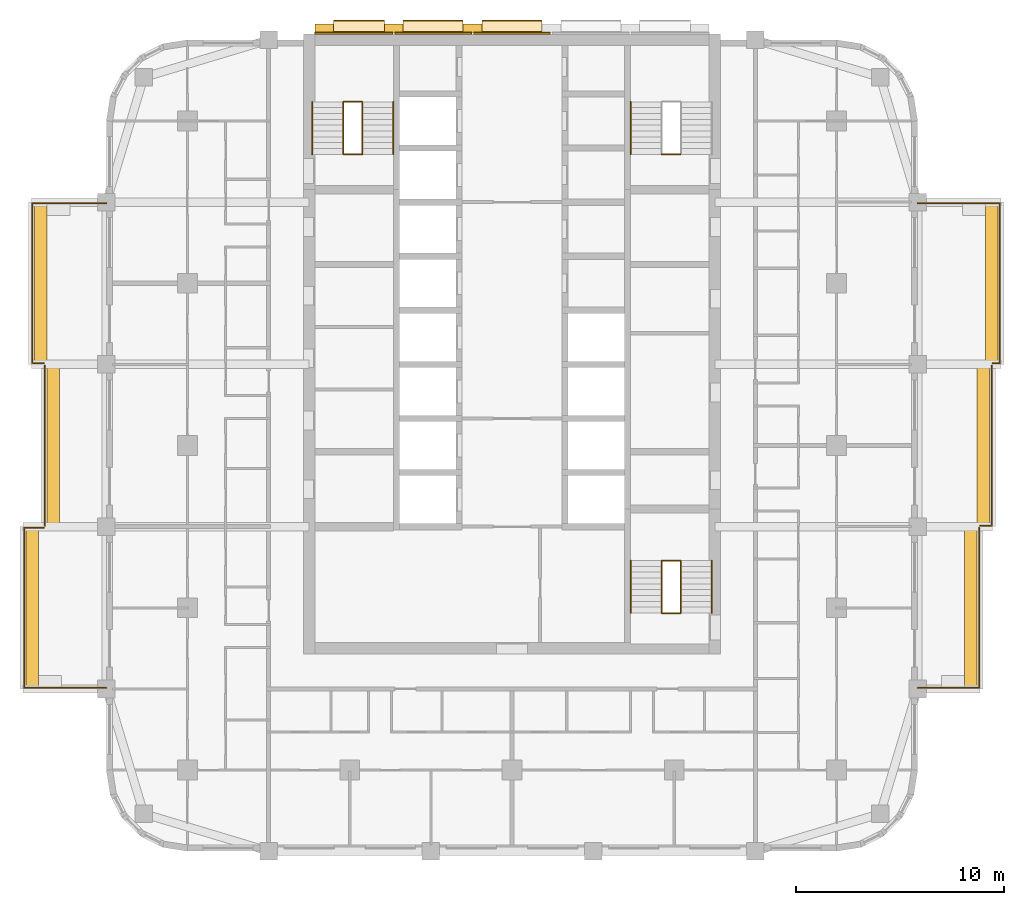
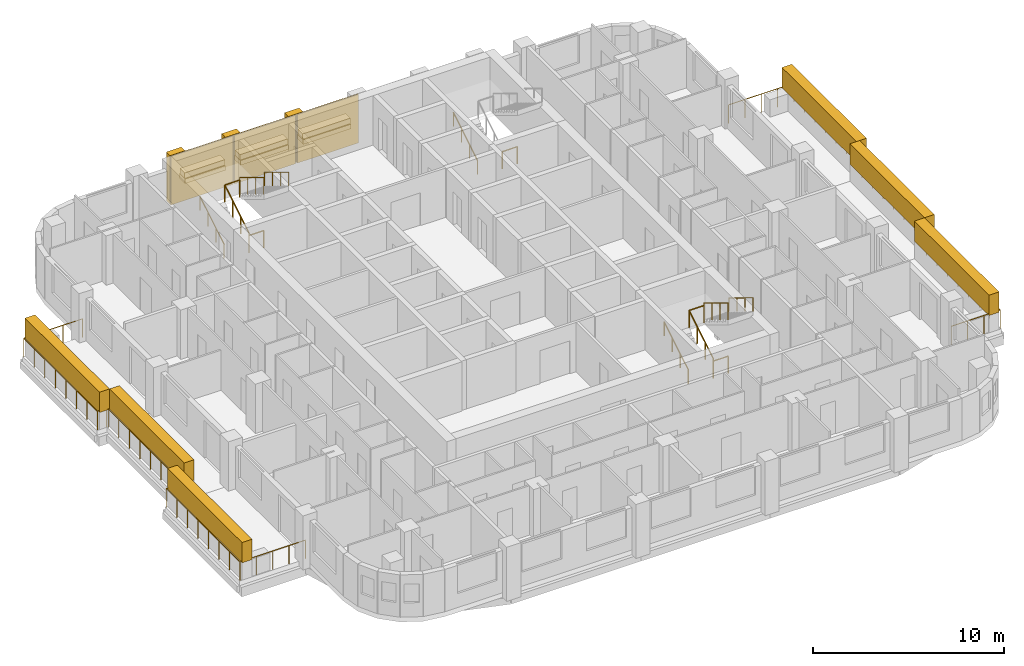
# One storey, part 12 of 13: 20 railings, 18 coverings, 3 elements without a shape of their own.
"""IFC4 building model written with IfcOpenShell, lengths in metres."""

from ifc_helpers import new_model, si_unit, direction, frame, origin, origin_2d, place, context, subcontext, project, spatial, rectangle, circle, extrude, material, layer, layer_set, type_object, element, aggregate, save


model = new_model("IFC4")

# Units and contexts
model_context = context("Model", 3, precision=1e-05, world=origin(), true_north=direction((0.0, 1.0)))
body_context = subcontext(model_context, "Body", "Model", "MODEL_VIEW")
ifc_project = project(units=[si_unit("LENGTHUNIT", "METRE"), si_unit("AREAUNIT", "SQUARE_METRE"), si_unit("VOLUMEUNIT", "CUBIC_METRE"), si_unit("PLANEANGLEUNIT", "RADIAN"), si_unit("MASSUNIT", "GRAM", prefix="KILO")], contexts=[model_context])

# Site, building, storey
site_placement = place(None, origin())
site = spatial("IfcSite", under=ifc_project, at=site_placement, CompositionType="ELEMENT")
building_placement = place(site_placement, origin())
building = spatial("IfcBuilding", under=site, at=building_placement, Name="Ludao Terraces", CompositionType="ELEMENT")
storey_placement = place(building_placement, frame((0.0, 0.0, 123.699951171875)))
storey = spatial("IfcBuildingStorey", under=building, at=storey_placement, Name="L33", CompositionType="ELEMENT", Elevation=123.699951171875)

# Railings
ifc_material_1 = material(Name="Stainless steel 304", Category="steel")
railing_type_1 = type_object("IfcRailingType", Name="ENV Balcony glass guard 1200", PredefinedType="GUARDRAIL", material=ifc_material_1)
railing_1_placement = place(storey_placement, frame((104.5, 53.35009765625, 0.0)))
element("IfcRailing", 1, at=railing_1_placement, inside=storey, type_object=railing_type_1, Name="Balcony guard L33 E1", PredefinedType="GUARDRAIL", context=body_context, shape_type="SweptSolid", body=[
    extrude(circle(Radius=0.02392578125, at=origin_2d()), frame((0.0, 0.0, 1.17578125), z_axis=(1.0, 0.0, 0.0), x_axis=(0.0, 1.0, 0.0)), (0.0, 0.0, 1.0), 2.949951171875),
    extrude(circle(Radius=0.02392578125, at=origin_2d()), frame((2.949951171875, 0.0, 1.17578125), z_axis=(0.0, 1.0, 0.0), x_axis=(-1.0, 0.0, 0.0)), (0.0, 0.0, 1.0), 7.699951171875),
    extrude(circle(Radius=0.02099609375, at=origin_2d()), origin(), (0.0, 0.0, 1.0), 1.15185546875),
    extrude(circle(Radius=0.02099609375, at=origin_2d()), frame((0.9833984375, 0.0, 0.0)), (0.0, 0.0, 1.0), 1.15185546875),
    extrude(circle(Radius=0.02099609375, at=origin_2d()), frame((1.966552734375, 0.0, 0.0)), (0.0, 0.0, 1.0), 1.15185546875),
    extrude(circle(Radius=0.02099609375, at=origin_2d()), frame((2.949951171875, 0.0, 0.0)), (0.0, 0.0, 1.0), 1.15185546875),
    extrude(circle(Radius=0.02099609375, at=origin_2d()), frame((2.949951171875, 1.10009765625, 0.0)), (0.0, 0.0, 1.0), 1.15185546875),
    extrude(circle(Radius=0.02099609375, at=origin_2d()), frame((2.949951171875, 2.199951171875, 0.0)), (0.0, 0.0, 1.0), 1.15185546875),
    extrude(circle(Radius=0.02099609375, at=origin_2d()), frame((2.949951171875, 3.300048828125, 0.0)), (0.0, 0.0, 1.0), 1.15185546875),
    extrude(circle(Radius=0.02099609375, at=origin_2d()), frame((2.949951171875, 4.39990234375, 0.0)), (0.0, 0.0, 1.0), 1.15185546875),
    extrude(circle(Radius=0.02099609375, at=origin_2d()), frame((2.949951171875, 5.5, 0.0)), (0.0, 0.0, 1.0), 1.15185546875),
    extrude(circle(Radius=0.02099609375, at=origin_2d()), frame((2.949951171875, 6.599853515625, 0.0)), (0.0, 0.0, 1.0), 1.15185546875),
    extrude(circle(Radius=0.02099609375, at=origin_2d()), frame((2.949951171875, 7.699951171875, 0.0)), (0.0, 0.0, 1.0), 1.15185546875),
])
railing_2_placement = place(storey_placement, frame((107.5, 61.14990234375, 0.0)))
element("IfcRailing", 2, at=railing_2_placement, inside=storey, type_object=railing_type_1, Name="Balcony guard L33 E2", PredefinedType="GUARDRAIL", context=body_context, shape_type="SweptSolid", body=[
    extrude(circle(Radius=0.02392578125, at=origin_2d()), frame((0.0, 0.0, 1.17578125), z_axis=(1.0, 0.0, 0.0), x_axis=(0.0, 1.0, 0.0)), (0.0, 0.0, 1.0), 0.550048828125),
    extrude(circle(Radius=0.02392578125, at=origin_2d()), frame((0.550048828125, 0.0, 1.17578125), z_axis=(0.0, 1.0, 0.0), x_axis=(-1.0, 0.0, 0.0)), (0.0, 0.0, 1.0), 7.7001953125),
    extrude(circle(Radius=0.02099609375, at=origin_2d()), origin(), (0.0, 0.0, 1.0), 1.15185546875),
    extrude(circle(Radius=0.02099609375, at=origin_2d()), frame((0.550048828125, 0.0, 0.0)), (0.0, 0.0, 1.0), 1.15185546875),
    extrude(circle(Radius=0.02099609375, at=origin_2d()), frame((0.550048828125, 1.10009765625, 0.0)), (0.0, 0.0, 1.0), 1.15185546875),
    extrude(circle(Radius=0.02099609375, at=origin_2d()), frame((0.550048828125, 2.199951171875, 0.0)), (0.0, 0.0, 1.0), 1.15185546875),
    extrude(circle(Radius=0.02099609375, at=origin_2d()), frame((0.550048828125, 3.300048828125, 0.0)), (0.0, 0.0, 1.0), 1.15185546875),
    extrude(circle(Radius=0.02099609375, at=origin_2d()), frame((0.550048828125, 4.400146484375, 0.0)), (0.0, 0.0, 1.0), 1.15185546875),
    extrude(circle(Radius=0.02099609375, at=origin_2d()), frame((0.550048828125, 5.500244140625, 0.0)), (0.0, 0.0, 1.0), 1.15185546875),
    extrude(circle(Radius=0.02099609375, at=origin_2d()), frame((0.550048828125, 6.60009765625, 0.0)), (0.0, 0.0, 1.0), 1.15185546875),
    extrude(circle(Radius=0.02099609375, at=origin_2d()), frame((0.550048828125, 7.7001953125, 0.0)), (0.0, 0.0, 1.0), 1.15185546875),
])
railing_3_placement = place(storey_placement, frame((108.10009765625, 68.949951171875, 0.0)))
element("IfcRailing", 3, at=railing_3_placement, inside=storey, type_object=railing_type_1, Name="Balcony guard L33 E3", PredefinedType="GUARDRAIL", context=body_context, shape_type="SweptSolid", body=[
    extrude(circle(Radius=0.02392578125, at=origin_2d()), frame((0.0, 0.0, 1.17578125), z_axis=(1.0, 0.0, 0.0), x_axis=(0.0, 1.0, 0.0)), (0.0, 0.0, 1.0), 0.349853515625),
    extrude(circle(Radius=0.02392578125, at=origin_2d()), frame((0.349853515625, 0.0, 1.17578125), z_axis=(0.0, 1.0, 0.0), x_axis=(-1.0, 0.0, 0.0)), (0.0, 0.0, 1.0), 7.699951171875),
    extrude(circle(Radius=0.02392578125, at=origin_2d()), frame((0.349853515625, 7.699951171875, 1.17578125), z_axis=(-1.0, 0.0, 0.0), x_axis=(0.0, -1.0, 0.0)), (0.0, 0.0, 1.0), 3.949951171875),
    extrude(circle(Radius=0.02099609375, at=origin_2d()), origin(), (0.0, 0.0, 1.0), 1.15185546875),
    extrude(circle(Radius=0.02099609375, at=origin_2d()), frame((0.349853515625, 0.0, 0.0)), (0.0, 0.0, 1.0), 1.15185546875),
    extrude(circle(Radius=0.02099609375, at=origin_2d()), frame((0.349853515625, 1.10009765625, 0.0)), (0.0, 0.0, 1.0), 1.15185546875),
    extrude(circle(Radius=0.02099609375, at=origin_2d()), frame((0.349853515625, 2.199951171875, 0.0)), (0.0, 0.0, 1.0), 1.15185546875),
    extrude(circle(Radius=0.02099609375, at=origin_2d()), frame((0.349853515625, 3.300048828125, 0.0)), (0.0, 0.0, 1.0), 1.15185546875),
    extrude(circle(Radius=0.02099609375, at=origin_2d()), frame((0.349853515625, 4.39990234375, 0.0)), (0.0, 0.0, 1.0), 1.15185546875),
    extrude(circle(Radius=0.02099609375, at=origin_2d()), frame((0.349853515625, 5.5, 0.0)), (0.0, 0.0, 1.0), 1.15185546875),
    extrude(circle(Radius=0.02099609375, at=origin_2d()), frame((0.349853515625, 6.599853515625, 0.0)), (0.0, 0.0, 1.0), 1.15185546875),
    extrude(circle(Radius=0.02099609375, at=origin_2d()), frame((0.349853515625, 7.699951171875, 0.0)), (0.0, 0.0, 1.0), 1.15185546875),
    extrude(circle(Radius=0.02099609375, at=origin_2d()), frame((-0.6376953125, 7.699951171875, 0.0)), (0.0, 0.0, 1.0), 1.15185546875),
    extrude(circle(Radius=0.02099609375, at=origin_2d()), frame((-1.625, 7.699951171875, 0.0)), (0.0, 0.0, 1.0), 1.15185546875),
    extrude(circle(Radius=0.02099609375, at=origin_2d()), frame((-2.612548828125, 7.699951171875, 0.0)), (0.0, 0.0, 1.0), 1.15185546875),
    extrude(circle(Radius=0.02099609375, at=origin_2d()), frame((-3.60009765625, 7.699951171875, 0.0)), (0.0, 0.0, 1.0), 1.15185546875),
])
railing_4_placement = place(storey_placement, frame((65.5, 53.35009765625, 0.0)))
element("IfcRailing", 4, at=railing_4_placement, inside=storey, type_object=railing_type_1, Name="Balcony guard L33 W1", PredefinedType="GUARDRAIL", context=body_context, shape_type="SweptSolid", body=[
    extrude(circle(Radius=0.02392578125, at=origin_2d()), frame((0.0, 0.0, 1.17578125), z_axis=(-1.0, 0.0, 0.0), x_axis=(0.0, -1.0, 0.0)), (0.0, 0.0, 1.0), 3.949951171875),
    extrude(circle(Radius=0.02392578125, at=origin_2d()), frame((-3.949951171875, 0.0, 1.17578125), z_axis=(0.0, 1.0, 0.0), x_axis=(-1.0, 0.0, 0.0)), (0.0, 0.0, 1.0), 7.699951171875),
    extrude(circle(Radius=0.02392578125, at=origin_2d()), frame((-3.949951171875, 7.699951171875, 1.17578125), z_axis=(1.0, 0.0, 0.0), x_axis=(0.0, 1.0, 0.0)), (0.0, 0.0, 1.0), 0.949951171875),
    extrude(circle(Radius=0.02099609375, at=origin_2d()), origin(), (0.0, 0.0, 1.0), 1.15185546875),
    extrude(circle(Radius=0.02099609375, at=origin_2d()), frame((-0.987548828125, 0.0, 0.0)), (0.0, 0.0, 1.0), 1.15185546875),
    extrude(circle(Radius=0.02099609375, at=origin_2d()), frame((-1.97509765625, 0.0, 0.0)), (0.0, 0.0, 1.0), 1.15185546875),
    extrude(circle(Radius=0.02099609375, at=origin_2d()), frame((-2.96240234375, 0.0, 0.0)), (0.0, 0.0, 1.0), 1.15185546875),
    extrude(circle(Radius=0.02099609375, at=origin_2d()), frame((-3.949951171875, 0.0, 0.0)), (0.0, 0.0, 1.0), 1.15185546875),
    extrude(circle(Radius=0.02099609375, at=origin_2d()), frame((-3.949951171875, 1.10009765625, 0.0)), (0.0, 0.0, 1.0), 1.15185546875),
    extrude(circle(Radius=0.02099609375, at=origin_2d()), frame((-3.949951171875, 2.199951171875, 0.0)), (0.0, 0.0, 1.0), 1.15185546875),
    extrude(circle(Radius=0.02099609375, at=origin_2d()), frame((-3.949951171875, 3.300048828125, 0.0)), (0.0, 0.0, 1.0), 1.15185546875),
    extrude(circle(Radius=0.02099609375, at=origin_2d()), frame((-3.949951171875, 4.39990234375, 0.0)), (0.0, 0.0, 1.0), 1.15185546875),
    extrude(circle(Radius=0.02099609375, at=origin_2d()), frame((-3.949951171875, 5.5, 0.0)), (0.0, 0.0, 1.0), 1.15185546875),
    extrude(circle(Radius=0.02099609375, at=origin_2d()), frame((-3.949951171875, 6.599853515625, 0.0)), (0.0, 0.0, 1.0), 1.15185546875),
    extrude(circle(Radius=0.02099609375, at=origin_2d()), frame((-3.949951171875, 7.699951171875, 0.0)), (0.0, 0.0, 1.0), 1.15185546875),
    extrude(circle(Radius=0.02099609375, at=origin_2d()), frame((-3.0, 7.699951171875, 0.0)), (0.0, 0.0, 1.0), 1.15185546875),
])
railing_5_placement = place(storey_placement, frame((62.550048828125, 61.14990234375, 0.0)))
element("IfcRailing", 5, at=railing_5_placement, inside=storey, type_object=railing_type_1, Name="Balcony guard L33 W2", PredefinedType="GUARDRAIL", context=body_context, shape_type="SweptSolid", body=[
    extrude(circle(Radius=0.02392578125, at=origin_2d()), frame((0.0, 0.0, 1.17578125), z_axis=(0.0, 1.0, 0.0), x_axis=(-1.0, 0.0, 0.0)), (0.0, 0.0, 1.0), 7.7001953125),
    extrude(circle(Radius=0.02099609375, at=origin_2d()), origin(), (0.0, 0.0, 1.0), 1.15185546875),
    extrude(circle(Radius=0.02099609375, at=origin_2d()), frame((0.0, 1.10009765625, 0.0)), (0.0, 0.0, 1.0), 1.15185546875),
    extrude(circle(Radius=0.02099609375, at=origin_2d()), frame((0.0, 2.199951171875, 0.0)), (0.0, 0.0, 1.0), 1.15185546875),
    extrude(circle(Radius=0.02099609375, at=origin_2d()), frame((0.0, 3.300048828125, 0.0)), (0.0, 0.0, 1.0), 1.15185546875),
    extrude(circle(Radius=0.02099609375, at=origin_2d()), frame((0.0, 4.400146484375, 0.0)), (0.0, 0.0, 1.0), 1.15185546875),
    extrude(circle(Radius=0.02099609375, at=origin_2d()), frame((0.0, 5.500244140625, 0.0)), (0.0, 0.0, 1.0), 1.15185546875),
    extrude(circle(Radius=0.02099609375, at=origin_2d()), frame((0.0, 6.60009765625, 0.0)), (0.0, 0.0, 1.0), 1.15185546875),
    extrude(circle(Radius=0.02099609375, at=origin_2d()), frame((0.0, 7.7001953125, 0.0)), (0.0, 0.0, 1.0), 1.15185546875),
])
railing_6_placement = place(storey_placement, frame((62.5, 68.949951171875, 0.0)))
element("IfcRailing", 6, at=railing_6_placement, inside=storey, type_object=railing_type_1, Name="Balcony guard L33 W3", PredefinedType="GUARDRAIL", context=body_context, shape_type="SweptSolid", body=[
    extrude(circle(Radius=0.02392578125, at=origin_2d()), frame((0.0, 0.0, 1.17578125), z_axis=(-1.0, 0.0, 0.0), x_axis=(0.0, -1.0, 0.0)), (0.0, 0.0, 1.0), 0.550048828125),
    extrude(circle(Radius=0.02392578125, at=origin_2d()), frame((-0.550048828125, 0.0, 1.17578125), z_axis=(0.0, 1.0, 0.0), x_axis=(-1.0, 0.0, 0.0)), (0.0, 0.0, 1.0), 7.699951171875),
    extrude(circle(Radius=0.02392578125, at=origin_2d()), frame((-0.550048828125, 7.699951171875, 1.17578125), z_axis=(1.0, 0.0, 0.0), x_axis=(0.0, 1.0, 0.0)), (0.0, 0.0, 1.0), 3.550048828125),
    extrude(circle(Radius=0.02099609375, at=origin_2d()), origin(), (0.0, 0.0, 1.0), 1.15185546875),
    extrude(circle(Radius=0.02099609375, at=origin_2d()), frame((-0.550048828125, 0.0, 0.0)), (0.0, 0.0, 1.0), 1.15185546875),
    extrude(circle(Radius=0.02099609375, at=origin_2d()), frame((-0.550048828125, 1.10009765625, 0.0)), (0.0, 0.0, 1.0), 1.15185546875),
    extrude(circle(Radius=0.02099609375, at=origin_2d()), frame((-0.550048828125, 2.199951171875, 0.0)), (0.0, 0.0, 1.0), 1.15185546875),
    extrude(circle(Radius=0.02099609375, at=origin_2d()), frame((-0.550048828125, 3.300048828125, 0.0)), (0.0, 0.0, 1.0), 1.15185546875),
    extrude(circle(Radius=0.02099609375, at=origin_2d()), frame((-0.550048828125, 4.39990234375, 0.0)), (0.0, 0.0, 1.0), 1.15185546875),
    extrude(circle(Radius=0.02099609375, at=origin_2d()), frame((-0.550048828125, 5.5, 0.0)), (0.0, 0.0, 1.0), 1.15185546875),
    extrude(circle(Radius=0.02099609375, at=origin_2d()), frame((-0.550048828125, 6.599853515625, 0.0)), (0.0, 0.0, 1.0), 1.15185546875),
    extrude(circle(Radius=0.02099609375, at=origin_2d()), frame((-0.550048828125, 7.699951171875, 0.0)), (0.0, 0.0, 1.0), 1.15185546875),
    extrude(circle(Radius=0.02099609375, at=origin_2d()), frame((0.63330078125, 7.699951171875, 0.0)), (0.0, 0.0, 1.0), 1.15185546875),
    extrude(circle(Radius=0.02099609375, at=origin_2d()), frame((1.816650390625, 7.699951171875, 0.0)), (0.0, 0.0, 1.0), 1.15185546875),
    extrude(circle(Radius=0.02099609375, at=origin_2d()), frame((3.0, 7.699951171875, 0.0)), (0.0, 0.0, 1.0), 1.15185546875),
])

# Coverings
ifc_material_2 = material(Name="Granite cladding", Category="masonry")
ifc_layer_1 = layer(ifc_material_2, 0.39990234375)
ifc_layer_set_1 = layer_set([ifc_layer_1], Name="ENV Core pilaster stone 400")
covering_type_1 = type_object("IfcCoveringType", Name="ENV Core pilaster stone 400", PredefinedType="CLADDING", material=ifc_layer_set_1)
for number, where, z_axis, x_axis, name in (
    (7, (75.97509765625, 85.054931640625, 0.0), (0.0, 0.0, 1.0), (1.0, 0.0, 0.0), "CC-L33-PIL1"),
    (8, (79.31494140625, 85.054931640625, 0.0), (0.0, 0.0, 1.0), (1.0, 0.0, 0.0), "CC-L33-PIL2"),
    (9, (83.10498046875, 85.054931640625, 0.0), (0.0, 0.0, 1.0), (1.0, 0.0, 0.0), "CC-L33-PIL3"),
):
    element("IfcCovering", number, at=place(storey_placement, frame(where, z_axis=z_axis, x_axis=x_axis)), inside=storey, type_object=covering_type_1, Name=name, PredefinedType="CLADDING", context=body_context, shape_type="SweptSolid", body=[
        extrude(rectangle(XDim=0.89990234375, YDim=0.39990234375, at=origin_2d()), origin(), (0.0, 0.0, 1.0), 3.10009765625),
    ])
ifc_layer_2 = layer(ifc_material_2, 0.60009765625)
ifc_layer_set_2 = layer_set([ifc_layer_2], Name="ENV Core planting shelf stone 600")
covering_type_2 = type_object("IfcCoveringType", Name="ENV Core planting shelf stone 600", PredefinedType="CLADDING", material=ifc_layer_set_2)
covering_1_placement = place(storey_placement, frame((77.64501953125, 85.155029296875, 1.0), z_axis=(0.0, 0.0, 1.0), x_axis=(1.0, 0.0, 0.0)))
element("IfcCovering", 10, at=covering_1_placement, inside=storey, type_object=covering_type_2, Name="CC-L33-SHELF1", PredefinedType="CLADDING", context=body_context, shape_type="SweptSolid", body=[
    extrude(rectangle(XDim=2.43994140625, YDim=0.60009765625, at=origin_2d()), origin(), (0.0, 0.0, 1.0), 0.300048828125),
])
for number, where, z_axis, x_axis, name in (
    (11, (81.2099609375, 85.155029296875, 1.0), (0.0, 0.0, 1.0), (1.0, 0.0, 0.0), "CC-L33-SHELF2"),
    (12, (85.0, 85.155029296875, 1.0), (0.0, 0.0, 1.0), (1.0, 0.0, 0.0), "CC-L33-SHELF3"),
):
    element("IfcCovering", number, at=place(storey_placement, frame(where, z_axis=z_axis, x_axis=x_axis)), inside=storey, type_object=covering_type_2, Name=name, PredefinedType="CLADDING", context=body_context, shape_type="SweptSolid", body=[
        extrude(rectangle(XDim=2.889892578125, YDim=0.60009765625, at=origin_2d()), origin(), (0.0, 0.0, 1.0), 0.300048828125),
    ])
ifc_layer_3 = layer(ifc_material_2, 0.080078125)
ifc_layer_set_3 = layer_set([ifc_layer_3], Name="ENV Core stone cladding panel 80")
covering_type_3 = type_object("IfcCoveringType", Name="ENV Core stone cladding panel 80", PredefinedType="CLADDING", material=ifc_layer_set_3)
covering_2_placement = place(storey_placement, frame((77.39501953125, 84.81494140625, 0.0), z_axis=(0.0, 0.0, 1.0), x_axis=(1.0, 0.0, 0.0)))
element("IfcCovering", 13, at=covering_2_placement, inside=storey, type_object=covering_type_3, Name="CC-L33-CORE1", PredefinedType="CLADDING", context=body_context, shape_type="SweptSolid", body=[
    extrude(rectangle(XDim=3.739990234375, YDim=0.080078125, at=origin_2d()), origin(), (0.0, 0.0, 1.0), 3.10009765625),
])
for number, where, z_axis, x_axis, name in (
    (14, (81.2099609375, 84.81494140625, 0.0), (0.0, 0.0, 1.0), (1.0, 0.0, 0.0), "CC-L33-CORE2"),
    (15, (85.0, 84.81494140625, 0.0), (0.0, 0.0, 1.0), (1.0, 0.0, 0.0), "CC-L33-CORE3"),
):
    element("IfcCovering", number, at=place(storey_placement, frame(where, z_axis=z_axis, x_axis=x_axis)), inside=storey, type_object=covering_type_3, Name=name, PredefinedType="CLADDING", context=body_context, shape_type="SweptSolid", body=[
        extrude(rectangle(XDim=3.68994140625, YDim=0.080078125, at=origin_2d()), origin(), (0.0, 0.0, 1.0), 3.10009765625),
    ])
ifc_material_3 = material(Name="Planting")
ifc_layer_4 = layer(ifc_material_3, 0.60009765625)
ifc_layer_set_4 = layer_set([ifc_layer_4], Name="ENV Planting hedge 600x1300")
covering_type_4 = type_object("IfcCoveringType", Name="ENV Planting hedge 600x1300", PredefinedType="USERDEFINED", material=ifc_layer_set_4)
for number, where, z_axis, x_axis, name in (
    (16, (107.050048828125, 57.199951171875, 1.10009765625), (0.0, 0.0, 1.0), (1.0, 0.0, 0.0), "Planting hedge L33-E1"),
    (17, (107.64990234375, 65.0, 1.10009765625), (0.0, 0.0, 1.0), (1.0, 0.0, 0.0), "Planting hedge L33-E2"),
    (18, (108.050048828125, 72.800048828125, 1.10009765625), (0.0, 0.0, 1.0), (1.0, 0.0, 0.0), "Planting hedge L33-E3"),
    (19, (61.949951171875, 57.199951171875, 1.10009765625), (0.0, 0.0, 1.0), (1.0, 0.0, 0.0), "Planting hedge L33-W1"),
    (20, (62.949951171875, 65.0, 1.10009765625), (0.0, 0.0, 1.0), (1.0, 0.0, 0.0), "Planting hedge L33-W2"),
    (21, (62.35009765625, 72.800048828125, 1.10009765625), (0.0, 0.0, 1.0), (1.0, 0.0, 0.0), "Planting hedge L33-W3"),
):
    element("IfcCovering", number, at=place(storey_placement, frame(where, z_axis=z_axis, x_axis=x_axis)), inside=storey, type_object=covering_type_4, Name=name, ObjectType="PLANTING", PredefinedType="USERDEFINED", context=body_context, shape_type="SweptSolid", body=[
        extrude(rectangle(XDim=0.60009765625, YDim=7.800048828125, at=origin_2d()), origin(), (0.0, 0.0, 1.0), 1.300048828125),
    ])
ifc_layer_5 = layer(ifc_material_3, 0.5)
ifc_layer_set_5 = layer_set([ifc_layer_5], Name="ENV Shelf planting bed 350")
covering_type_5 = type_object("IfcCoveringType", Name="ENV Shelf planting bed 350", PredefinedType="USERDEFINED", material=ifc_layer_set_5)
covering_3_placement = place(storey_placement, frame((77.64501953125, 85.155029296875, 1.300048828125), z_axis=(0.0, 0.0, 1.0), x_axis=(1.0, 0.0, 0.0)))
element("IfcCovering", 22, at=covering_3_placement, inside=storey, type_object=covering_type_5, Name="Shelf planting bed L33 1", ObjectType="PLANTING", PredefinedType="USERDEFINED", context=body_context, shape_type="SweptSolid", body=[
    extrude(rectangle(XDim=2.43994140625, YDim=0.5, at=origin_2d()), origin(), (0.0, 0.0, 1.0), 0.35009765625),
])
for number, where, z_axis, x_axis, name in (
    (23, (81.2099609375, 85.155029296875, 1.300048828125), (0.0, 0.0, 1.0), (1.0, 0.0, 0.0), "Shelf planting bed L33 2"),
    (24, (85.0, 85.155029296875, 1.300048828125), (0.0, 0.0, 1.0), (1.0, 0.0, 0.0), "Shelf planting bed L33 3"),
):
    element("IfcCovering", number, at=place(storey_placement, frame(where, z_axis=z_axis, x_axis=x_axis)), inside=storey, type_object=covering_type_5, Name=name, ObjectType="PLANTING", PredefinedType="USERDEFINED", context=body_context, shape_type="SweptSolid", body=[
        extrude(rectangle(XDim=2.889892578125, YDim=0.5, at=origin_2d()), origin(), (0.0, 0.0, 1.0), 0.35009765625),
    ])

# Stair, railings
ifc_material_4 = material(Name="Concrete C40", Category="concrete")
stair_type = type_object("IfcStairType", Name="INT Stair", PredefinedType="HALF_TURN_STAIR", material=ifc_material_4)
stair_1_placement = place(storey_placement, origin())
stair_1 = element("IfcStair", 25, at=stair_1_placement, inside=storey, type_object=stair_type, Name="EXIT STAIR 1", PredefinedType="HALF_TURN_STAIR")
railing_type_2 = type_object("IfcRailingType", Name="INT Stair guard 1100", PredefinedType="GUARDRAIL", material=ifc_material_1)
railing_7_placement = place(storey_placement, frame((76.89990234375, 79.0, 0.170166015625)))
railing_7 = element("IfcRailing", 26, at=railing_7_placement, type_object=railing_type_2, Name="ST-L33-S1-R1G", PredefinedType="GUARDRAIL", context=body_context, shape_type="SweptSolid", body=[
    extrude(circle(Radius=0.02392578125, at=origin_2d()), frame((0.0, 0.0, 1.076171875), z_axis=(0.0, 0.854821627497, 0.518921945155), x_axis=(-1.0, 0.0, 0.0)), (0.0, 0.0, 1.0), 2.947998046875),
    extrude(circle(Radius=0.02099609375, at=origin_2d()), origin(), (0.0, 0.0, 1.0), 1.052001953125),
    extrude(circle(Radius=0.02099609375, at=origin_2d()), frame((0.0, 0.840087890625, 0.510009765625)), (0.0, 0.0, 1.0), 1.052001953125),
    extrude(circle(Radius=0.02099609375, at=origin_2d()), frame((0.0, 1.679931640625, 1.019775390625)), (0.0, 0.0, 1.0), 1.052001953125),
    extrude(circle(Radius=0.02099609375, at=origin_2d()), frame((0.0, 2.52001953125, 1.52978515625)), (0.0, 0.0, 1.0), 1.052001953125),
])
railing_8_placement = place(storey_placement, frame((77.800048828125, 81.52001953125, 1.8701171875)))
railing_8 = element("IfcRailing", 27, at=railing_8_placement, type_object=railing_type_2, Name="ST-L33-S1-R2G", PredefinedType="GUARDRAIL", context=body_context, shape_type="SweptSolid", body=[
    extrude(circle(Radius=0.02392578125, at=origin_2d()), frame((0.0, 0.0, 1.076171875), z_axis=(0.0, -0.85478489116, 0.518982456201), x_axis=(1.0, 0.0, 0.0)), (0.0, 0.0, 1.0), 2.9482421875),
    extrude(circle(Radius=0.02099609375, at=origin_2d()), origin(), (0.0, 0.0, 1.0), 1.052001953125),
    extrude(circle(Radius=0.02099609375, at=origin_2d()), frame((0.0, -0.840087890625, 0.510009765625)), (0.0, 0.0, 1.0), 1.052001953125),
    extrude(circle(Radius=0.02099609375, at=origin_2d()), frame((0.0, -1.679931640625, 1.02001953125)), (0.0, 0.0, 1.0), 1.052001953125),
    extrude(circle(Radius=0.02099609375, at=origin_2d()), frame((0.0, -2.52001953125, 1.530029296875)), (0.0, 0.0, 1.0), 1.052001953125),
])
railing_9_placement = place(storey_placement, frame((76.89990234375, 81.52001953125, 1.699951171875)))
railing_9 = element("IfcRailing", 28, at=railing_9_placement, type_object=railing_type_2, Name="ST-L33-S1-E1G", PredefinedType="GUARDRAIL", context=body_context, shape_type="SweptSolid", body=[
    extrude(circle(Radius=0.02392578125, at=origin_2d()), frame((0.0, 0.0, 1.076171875), z_axis=(1.0, 0.0, 0.0), x_axis=(0.0, 1.0, 0.0)), (0.0, 0.0, 1.0), 0.900146484375),
    extrude(circle(Radius=0.02099609375, at=origin_2d()), origin(), (0.0, 0.0, 1.0), 1.052001953125),
    extrude(circle(Radius=0.02099609375, at=origin_2d()), frame((0.900146484375, 0.0, 0.0)), (0.0, 0.0, 1.0), 1.052001953125),
])
railing_10_placement = place(storey_placement, frame((76.89990234375, 79.0, 0.0)))
railing_10 = element("IfcRailing", 29, at=railing_10_placement, type_object=railing_type_2, Name="ST-L33-S1-E2G", PredefinedType="GUARDRAIL", context=body_context, shape_type="SweptSolid", body=[
    extrude(circle(Radius=0.02392578125, at=origin_2d()), frame((0.0, 0.0, 1.076171875), z_axis=(1.0, 0.0, 0.0), x_axis=(0.0, 1.0, 0.0)), (0.0, 0.0, 1.0), 0.900146484375),
    extrude(circle(Radius=0.02099609375, at=origin_2d()), origin(), (0.0, 0.0, 1.0), 1.052001953125),
    extrude(circle(Radius=0.02099609375, at=origin_2d()), frame((0.900146484375, 0.0, 0.0)), (0.0, 0.0, 1.0), 1.052001953125),
])

# Stair, railing
stair_2_placement = place(storey_placement, origin())
stair_2 = element("IfcStair", 30, at=stair_2_placement, inside=storey, type_object=stair_type, Name="EXIT STAIR 2", PredefinedType="HALF_TURN_STAIR")
railing_11_placement = place(storey_placement, frame((92.199951171875, 79.0, 0.0)))
railing_11 = element("IfcRailing", 31, at=railing_11_placement, type_object=railing_type_2, Name="ST-L33-S2-E2G", PredefinedType="GUARDRAIL", context=body_context, shape_type="SweptSolid", body=[
    extrude(circle(Radius=0.02392578125, at=origin_2d()), frame((0.0, 0.0, 1.076171875), z_axis=(1.0, 0.0, 0.0), x_axis=(0.0, 1.0, 0.0)), (0.0, 0.0, 1.0), 0.900146484375),
    extrude(circle(Radius=0.02099609375, at=origin_2d()), origin(), (0.0, 0.0, 1.0), 1.052001953125),
    extrude(circle(Radius=0.02099609375, at=origin_2d()), frame((0.900146484375, 0.0, 0.0)), (0.0, 0.0, 1.0), 1.052001953125),
])

# Stair, railings
stair_3_placement = place(storey_placement, origin())
stair_3 = element("IfcStair", 32, at=stair_3_placement, inside=storey, type_object=stair_type, Name="EXIT STAIR 3", PredefinedType="HALF_TURN_STAIR")
railing_12_placement = place(storey_placement, frame((92.199951171875, 56.949951171875, 0.170166015625)))
railing_12 = element("IfcRailing", 33, at=railing_12_placement, type_object=railing_type_2, Name="ST-L33-S3-R1G", PredefinedType="GUARDRAIL", context=body_context, shape_type="SweptSolid", body=[
    extrude(circle(Radius=0.02392578125, at=origin_2d()), frame((0.0, 0.0, 1.076171875), z_axis=(0.0, 0.854821627497, 0.518921945155), x_axis=(-1.0, 0.0, 0.0)), (0.0, 0.0, 1.0), 2.947998046875),
    extrude(circle(Radius=0.02099609375, at=origin_2d()), origin(), (0.0, 0.0, 1.0), 1.052001953125),
    extrude(circle(Radius=0.02099609375, at=origin_2d()), frame((0.0, 0.840087890625, 0.510009765625)), (0.0, 0.0, 1.0), 1.052001953125),
    extrude(circle(Radius=0.02099609375, at=origin_2d()), frame((0.0, 1.679931640625, 1.019775390625)), (0.0, 0.0, 1.0), 1.052001953125),
    extrude(circle(Radius=0.02099609375, at=origin_2d()), frame((0.0, 2.52001953125, 1.52978515625)), (0.0, 0.0, 1.0), 1.052001953125),
])
railing_13_placement = place(storey_placement, frame((93.10009765625, 59.469970703125, 1.8701171875)))
railing_13 = element("IfcRailing", 34, at=railing_13_placement, type_object=railing_type_2, Name="ST-L33-S3-R2G", PredefinedType="GUARDRAIL", context=body_context, shape_type="SweptSolid", body=[
    extrude(circle(Radius=0.02392578125, at=origin_2d()), frame((0.0, 0.0, 1.076171875), z_axis=(0.0, -0.85478489116, 0.518982456201), x_axis=(1.0, 0.0, 0.0)), (0.0, 0.0, 1.0), 2.9482421875),
    extrude(circle(Radius=0.02099609375, at=origin_2d()), origin(), (0.0, 0.0, 1.0), 1.052001953125),
    extrude(circle(Radius=0.02099609375, at=origin_2d()), frame((0.0, -0.840087890625, 0.510009765625)), (0.0, 0.0, 1.0), 1.052001953125),
    extrude(circle(Radius=0.02099609375, at=origin_2d()), frame((0.0, -1.679931640625, 1.02001953125)), (0.0, 0.0, 1.0), 1.052001953125),
    extrude(circle(Radius=0.02099609375, at=origin_2d()), frame((0.0, -2.52001953125, 1.530029296875)), (0.0, 0.0, 1.0), 1.052001953125),
])
railing_14_placement = place(storey_placement, frame((92.199951171875, 59.469970703125, 1.699951171875)))
railing_14 = element("IfcRailing", 35, at=railing_14_placement, type_object=railing_type_2, Name="ST-L33-S3-E1G", PredefinedType="GUARDRAIL", context=body_context, shape_type="SweptSolid", body=[
    extrude(circle(Radius=0.02392578125, at=origin_2d()), frame((0.0, 0.0, 1.076171875), z_axis=(1.0, 0.0, 0.0), x_axis=(0.0, 1.0, 0.0)), (0.0, 0.0, 1.0), 0.900146484375),
    extrude(circle(Radius=0.02099609375, at=origin_2d()), origin(), (0.0, 0.0, 1.0), 1.052001953125),
    extrude(circle(Radius=0.02099609375, at=origin_2d()), frame((0.900146484375, 0.0, 0.0)), (0.0, 0.0, 1.0), 1.052001953125),
])
railing_15_placement = place(storey_placement, frame((92.199951171875, 56.949951171875, 0.0)))
railing_15 = element("IfcRailing", 36, at=railing_15_placement, type_object=railing_type_2, Name="ST-L33-S3-E2G", PredefinedType="GUARDRAIL", context=body_context, shape_type="SweptSolid", body=[
    extrude(circle(Radius=0.02392578125, at=origin_2d()), frame((0.0, 0.0, 1.076171875), z_axis=(1.0, 0.0, 0.0), x_axis=(0.0, 1.0, 0.0)), (0.0, 0.0, 1.0), 0.900146484375),
    extrude(circle(Radius=0.02099609375, at=origin_2d()), origin(), (0.0, 0.0, 1.0), 1.052001953125),
    extrude(circle(Radius=0.02099609375, at=origin_2d()), frame((0.900146484375, 0.0, 0.0)), (0.0, 0.0, 1.0), 1.052001953125),
])

# Railing
railing_type_3 = type_object("IfcRailingType", Name="INT Stair handrail 900", PredefinedType="HANDRAIL", material=ifc_material_1)
railing_16_placement = place(storey_placement, frame((75.39990234375, 79.0, 0.170166015625)))
railing_16 = element("IfcRailing", 37, at=railing_16_placement, type_object=railing_type_3, Name="ST-L33-S1-R1H", PredefinedType="HANDRAIL", context=body_context, shape_type="SweptSolid", body=[
    extrude(circle(Radius=0.02392578125, at=origin_2d()), frame((0.0, 0.0, 0.8759765625), z_axis=(0.0, 0.854821627497, 0.518921945155), x_axis=(-1.0, 0.0, 0.0)), (0.0, 0.0, 1.0), 2.947998046875),
    extrude(circle(Radius=0.02099609375, at=origin_2d()), origin(), (0.0, 0.0, 1.0), 0.851806640625),
    extrude(circle(Radius=0.02099609375, at=origin_2d()), frame((0.0, 0.840087890625, 0.510009765625)), (0.0, 0.0, 1.0), 0.851806640625),
    extrude(circle(Radius=0.02099609375, at=origin_2d()), frame((0.0, 1.679931640625, 1.019775390625)), (0.0, 0.0, 1.0), 0.851806640625),
    extrude(circle(Radius=0.02099609375, at=origin_2d()), frame((0.0, 2.52001953125, 1.52978515625)), (0.0, 0.0, 1.0), 0.851806640625),
])

railing_17_placement = place(storey_placement, frame((79.300048828125, 81.52001953125, 1.8701171875)))
railing_17 = element("IfcRailing", 38, at=railing_17_placement, type_object=railing_type_3, Name="ST-L33-S1-R2H", PredefinedType="HANDRAIL", context=body_context, shape_type="SweptSolid", body=[
    extrude(circle(Radius=0.02392578125, at=origin_2d()), frame((0.0, 0.0, 0.8759765625), z_axis=(0.0, -0.85478489116, 0.518982456201), x_axis=(1.0, 0.0, 0.0)), (0.0, 0.0, 1.0), 2.9482421875),
    extrude(circle(Radius=0.02099609375, at=origin_2d()), origin(), (0.0, 0.0, 1.0), 0.851806640625),
    extrude(circle(Radius=0.02099609375, at=origin_2d()), frame((0.0, -0.840087890625, 0.510009765625)), (0.0, 0.0, 1.0), 0.851806640625),
    extrude(circle(Radius=0.02099609375, at=origin_2d()), frame((0.0, -1.679931640625, 1.02001953125)), (0.0, 0.0, 1.0), 0.851806640625),
    extrude(circle(Radius=0.02099609375, at=origin_2d()), frame((0.0, -2.52001953125, 1.530029296875)), (0.0, 0.0, 1.0), 0.851806640625),
])

aggregate(stair_1, [railing_7, railing_16, railing_8, railing_17, railing_9, railing_10])

railing_18_placement = place(storey_placement, frame((90.699951171875, 79.0, 0.170166015625)))
railing_18 = element("IfcRailing", 39, at=railing_18_placement, type_object=railing_type_3, Name="ST-L33-S2-R1H", PredefinedType="HANDRAIL", context=body_context, shape_type="SweptSolid", body=[
    extrude(circle(Radius=0.02392578125, at=origin_2d()), frame((0.0, 0.0, 0.8759765625), z_axis=(0.0, 0.854821627497, 0.518921945155), x_axis=(-1.0, 0.0, 0.0)), (0.0, 0.0, 1.0), 2.947998046875),
    extrude(circle(Radius=0.02099609375, at=origin_2d()), origin(), (0.0, 0.0, 1.0), 0.851806640625),
    extrude(circle(Radius=0.02099609375, at=origin_2d()), frame((0.0, 0.840087890625, 0.510009765625)), (0.0, 0.0, 1.0), 0.851806640625),
    extrude(circle(Radius=0.02099609375, at=origin_2d()), frame((0.0, 1.679931640625, 1.019775390625)), (0.0, 0.0, 1.0), 0.851806640625),
    extrude(circle(Radius=0.02099609375, at=origin_2d()), frame((0.0, 2.52001953125, 1.52978515625)), (0.0, 0.0, 1.0), 0.851806640625),
])

aggregate(stair_2, [railing_18, railing_11])

railing_19_placement = place(storey_placement, frame((90.699951171875, 56.949951171875, 0.170166015625)))
railing_19 = element("IfcRailing", 40, at=railing_19_placement, type_object=railing_type_3, Name="ST-L33-S3-R1H", PredefinedType="HANDRAIL", context=body_context, shape_type="SweptSolid", body=[
    extrude(circle(Radius=0.02392578125, at=origin_2d()), frame((0.0, 0.0, 0.8759765625), z_axis=(0.0, 0.854821627497, 0.518921945155), x_axis=(-1.0, 0.0, 0.0)), (0.0, 0.0, 1.0), 2.947998046875),
    extrude(circle(Radius=0.02099609375, at=origin_2d()), origin(), (0.0, 0.0, 1.0), 0.851806640625),
    extrude(circle(Radius=0.02099609375, at=origin_2d()), frame((0.0, 0.840087890625, 0.510009765625)), (0.0, 0.0, 1.0), 0.851806640625),
    extrude(circle(Radius=0.02099609375, at=origin_2d()), frame((0.0, 1.679931640625, 1.019775390625)), (0.0, 0.0, 1.0), 0.851806640625),
    extrude(circle(Radius=0.02099609375, at=origin_2d()), frame((0.0, 2.52001953125, 1.52978515625)), (0.0, 0.0, 1.0), 0.851806640625),
])

railing_20_placement = place(storey_placement, frame((94.60009765625, 59.469970703125, 1.8701171875)))
railing_20 = element("IfcRailing", 41, at=railing_20_placement, type_object=railing_type_3, Name="ST-L33-S3-R2H", PredefinedType="HANDRAIL", context=body_context, shape_type="SweptSolid", body=[
    extrude(circle(Radius=0.02392578125, at=origin_2d()), frame((0.0, 0.0, 0.8759765625), z_axis=(0.0, -0.85478489116, 0.518982456201), x_axis=(1.0, 0.0, 0.0)), (0.0, 0.0, 1.0), 2.9482421875),
    extrude(circle(Radius=0.02099609375, at=origin_2d()), origin(), (0.0, 0.0, 1.0), 0.851806640625),
    extrude(circle(Radius=0.02099609375, at=origin_2d()), frame((0.0, -0.840087890625, 0.510009765625)), (0.0, 0.0, 1.0), 0.851806640625),
    extrude(circle(Radius=0.02099609375, at=origin_2d()), frame((0.0, -1.679931640625, 1.02001953125)), (0.0, 0.0, 1.0), 0.851806640625),
    extrude(circle(Radius=0.02099609375, at=origin_2d()), frame((0.0, -2.52001953125, 1.530029296875)), (0.0, 0.0, 1.0), 0.851806640625),
])

aggregate(stair_3, [railing_12, railing_19, railing_13, railing_20, railing_14, railing_15])

save(model, "model.ifc")
